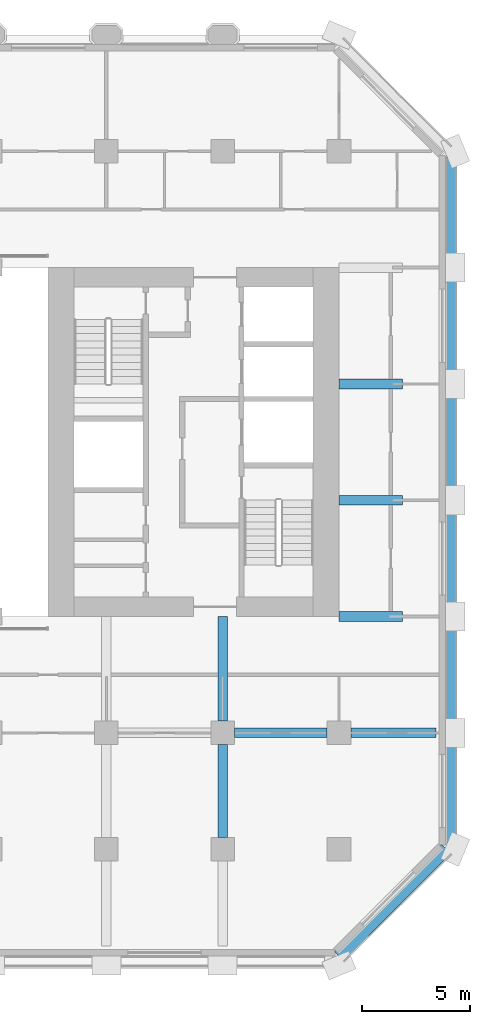
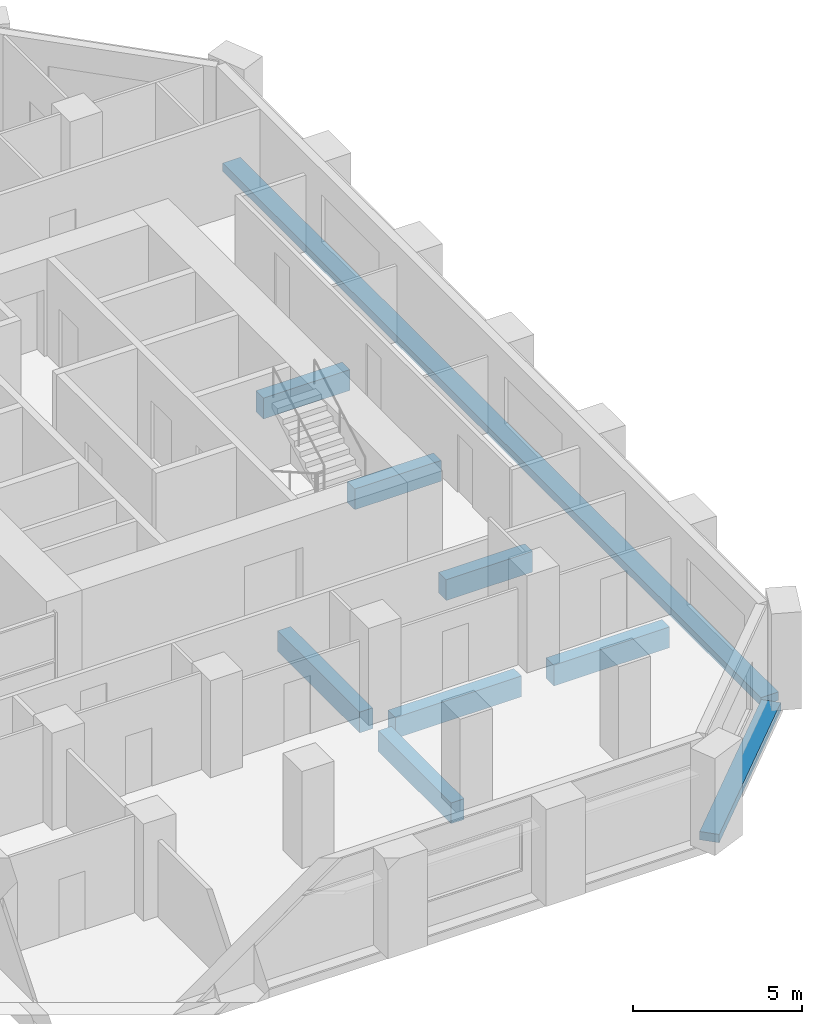
# One storey, part 5 of 13: 9 beams.
"""IFC4 building model written with IfcOpenShell, lengths in metres."""

from ifc_helpers import new_model, si_unit, direction, frame, origin, origin_2d, place, context, subcontext, project, spatial, rectangle, extrude, material, material_profile, profile_set, type_object, element, save


model = new_model("IFC4")

# Units and contexts
model_context = context("Model", 3, precision=1e-05, world=origin(), true_north=direction((0.0, 1.0)))
body_context = subcontext(model_context, "Body", "Model", "MODEL_VIEW")
ifc_project = project(units=[si_unit("LENGTHUNIT", "METRE"), si_unit("AREAUNIT", "SQUARE_METRE"), si_unit("VOLUMEUNIT", "CUBIC_METRE"), si_unit("PLANEANGLEUNIT", "RADIAN"), si_unit("MASSUNIT", "GRAM", prefix="KILO")], contexts=[model_context])

# Site, building, storey
site_placement = place(None, origin())
site = spatial("IfcSite", under=ifc_project, at=site_placement, CompositionType="ELEMENT")
building_placement = place(site_placement, origin())
building = spatial("IfcBuilding", under=site, at=building_placement, Name="Tabaq Tower and Sports Hall", CompositionType="ELEMENT")
storey_placement = place(building_placement, frame((0.0, 0.0, 48.800048828125)))
storey = spatial("IfcBuildingStorey", under=building, at=storey_placement, Name="L10", CompositionType="ELEMENT", Elevation=48.800048828125)

# Beams
ifc_material_1 = material(Name="Concrete C40/50", Category="concrete")
ifc_material_profile_1 = material_profile(ifc_material_1, rectangle(XDim=0.449951171875, YDim=0.75, at=origin_2d()), Name="CB 450x750")
ifc_profile_set_1 = profile_set([ifc_material_profile_1], Name="Concrete C40/50")
beam_type_1 = type_object("IfcBeamType", Name="PT CANTILEVER BEAM CB 450x750 C40/50", PredefinedType="BEAM", material=ifc_profile_set_1)
beam_1_placement = place(storey_placement, frame((47.699951171875, 10.800048828125, -0.675048828125), z_axis=(-1.0, 0.0, 0.0), x_axis=(0.0, -1.0, 0.0)))
element("IfcBeam", 1, at=beam_1_placement, inside=storey, type_object=beam_type_1, Name="Cantilever Beam L10 E2 span 1", PredefinedType="BEAM", context=body_context, shape_type="SweptSolid", body=[
    extrude(rectangle(XDim=0.449951171875, YDim=0.75, at=origin_2d()), origin(), (0.0, 0.0, 1.0), 3.949951171875),
])
beam_2_placement = place(storey_placement, frame((42.64990234375, 10.800048828125, -0.675048828125), z_axis=(-1.0, 0.0, 0.0), x_axis=(0.0, -1.0, 0.0)))
element("IfcBeam", 2, at=beam_2_placement, inside=storey, type_object=beam_type_1, Name="Cantilever Beam L10 E2 span 2", PredefinedType="BEAM", context=body_context, shape_type="SweptSolid", body=[
    extrude(rectangle(XDim=0.449951171875, YDim=0.75, at=origin_2d()), origin(), (0.0, 0.0, 1.0), 4.2998046875),
])
for number, where, z_axis, x_axis, name in (
    (3, (46.14990234375, 16.199951171875, -0.675048828125), (-1.0, 0.0, 0.0), (0.0, -1.0, 0.0), "Cantilever Beam L10 E3 span 1"),
    (4, (46.14990234375, 21.60009765625, -0.675048828125), (-1.0, 0.0, 0.0), (0.0, -1.0, 0.0), "Cantilever Beam L10 E4 span 1"),
    (5, (46.14990234375, 27.0, -0.675048828125), (-1.0, 0.0, 0.0), (0.0, -1.0, 0.0), "Cantilever Beam L10 E5 span 1"),
):
    element("IfcBeam", number, at=place(storey_placement, frame(where, z_axis=z_axis, x_axis=x_axis)), inside=storey, type_object=beam_type_1, Name=name, PredefinedType="BEAM", context=body_context, shape_type="SweptSolid", body=[
        extrude(rectangle(XDim=0.449951171875, YDim=0.75, at=origin_2d()), origin(), (0.0, 0.0, 1.0), 2.949951171875),
    ])
beam_3_placement = place(storey_placement, frame((37.800048828125, 5.949951171875, -0.675048828125), z_axis=(0.0, 1.0, 0.0), x_axis=(-1.0, 0.0, 0.0)))
element("IfcBeam", 6, at=beam_3_placement, inside=storey, type_object=beam_type_1, Name="Cantilever Beam L10 S7 span 2", PredefinedType="BEAM", context=body_context, shape_type="SweptSolid", body=[
    extrude(rectangle(XDim=0.449951171875, YDim=0.75, at=origin_2d()), origin(), (0.0, 0.0, 1.0), 4.300048828125),
])
beam_4_placement = place(storey_placement, frame((37.800048828125, 11.35009765625, -0.675048828125), z_axis=(0.0, 1.0, 0.0), x_axis=(-1.0, 0.0, 0.0)))
element("IfcBeam", 7, at=beam_4_placement, inside=storey, type_object=beam_type_1, Name="Cantilever Beam L10 S7 span 3", PredefinedType="BEAM", context=body_context, shape_type="SweptSolid", body=[
    extrude(rectangle(XDim=0.449951171875, YDim=0.75, at=origin_2d()), origin(), (0.0, 0.0, 1.0), 4.849853515625),
])
ifc_material_2 = material(Name="Concrete C40/50", Category="concrete")
ifc_material_profile_2 = material_profile(ifc_material_2, rectangle(XDim=0.60009765625, YDim=0.300048828125, at=origin_2d()), Name="EB 600x300")
ifc_profile_set_2 = profile_set([ifc_material_profile_2], Name="Concrete C40/50")
beam_type_2 = type_object("IfcBeamType", Name="PT EDGE BEAM EB 600x300 C40/50", PredefinedType="SPANDREL", material=ifc_profile_set_2)
beam_5_placement = place(storey_placement, frame((43.198974609375, 0.42333984375, -0.150146484375), z_axis=(0.707106781187, 0.707106781187, 0.0), x_axis=(-0.707106781187, 0.707106781187, 0.0)))
element("IfcBeam", 8, at=beam_5_placement, inside=storey, type_object=beam_type_2, Name="Edge Beam L10 2", PredefinedType="SPANDREL", context=body_context, shape_type="SweptSolid", body=[
    extrude(rectangle(XDim=0.60009765625, YDim=0.300048828125, at=origin_2d()), origin(), (0.0, 0.0, 1.0), 7.03955078125),
])
beam_6_placement = place(storey_placement, frame((48.300048828125, 5.698486328125, -0.150146484375), z_axis=(0.0, 1.0, 0.0), x_axis=(-1.0, 0.0, 0.0)))
element("IfcBeam", 9, at=beam_6_placement, inside=storey, type_object=beam_type_2, Name="Edge Beam L10 3", PredefinedType="SPANDREL", context=body_context, shape_type="SweptSolid", body=[
    extrude(rectangle(XDim=0.60009765625, YDim=0.300048828125, at=origin_2d()), origin(), (0.0, 0.0, 1.0), 31.802978515625),
])

save(model, "model.ifc")
